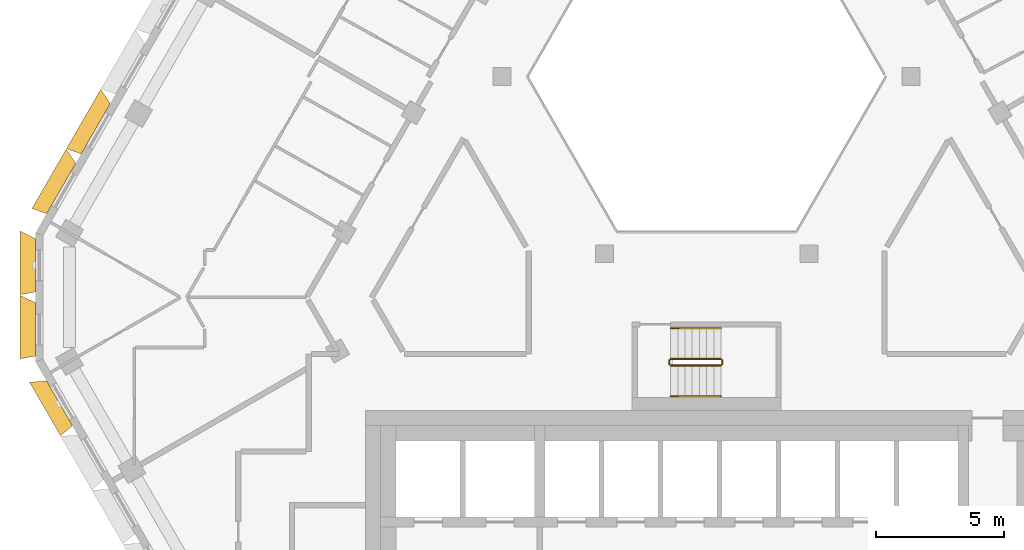
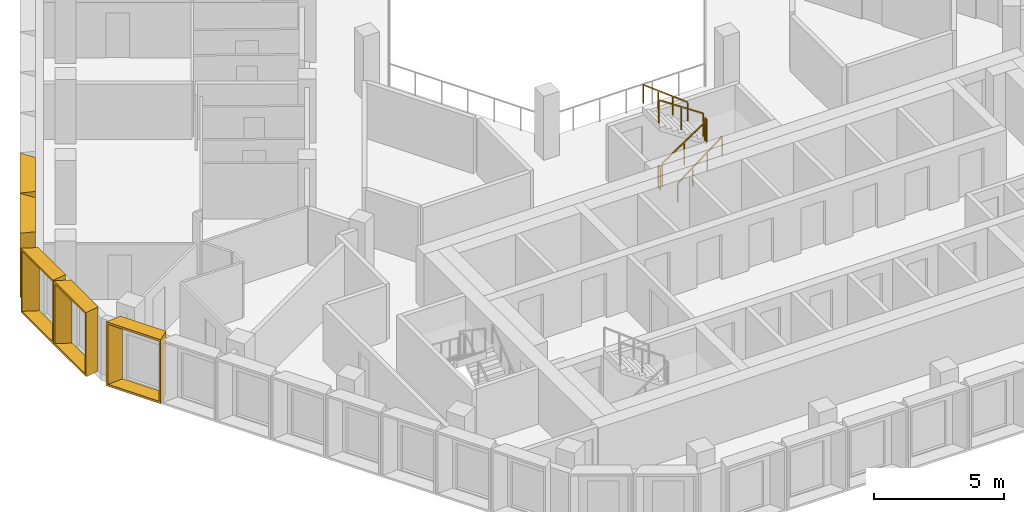
# One storey, part 15 of 18: 6 railings, 5 shading devices.
"""IFC4 building model written with IfcOpenShell, lengths in metres."""

from ifc_helpers import new_model, entity, si_unit, direction, frame, origin, origin_2d, place, context, subcontext, project, spatial, rectangle, extrude, source, transform, mapped, material, type_object, type_shapes, element, save


model = new_model("IFC4")

# Units and contexts
model_context = context("Model", 3, precision=1e-05, world=origin(), true_north=direction((0.0, 1.0)))
body_context = subcontext(model_context, "Body", "Model", "MODEL_VIEW")
ifc_project = project(units=[si_unit("LENGTHUNIT", "METRE"), si_unit("AREAUNIT", "SQUARE_METRE"), si_unit("VOLUMEUNIT", "CUBIC_METRE"), si_unit("PLANEANGLEUNIT", "RADIAN"), si_unit("MASSUNIT", "GRAM", prefix="KILO")], contexts=[model_context])

# Site, building, storey
site_placement = place(None, origin())
site = spatial("IfcSite", under=ifc_project, at=site_placement, CompositionType="ELEMENT")
building_placement = place(site_placement, origin())
building = spatial("IfcBuilding", under=site, at=building_placement, Name="Beryl Residences", CompositionType="ELEMENT")
storey_placement = place(building_placement, frame((0.0, 0.0, 196.199951171875)))
storey = spatial("IfcBuildingStorey", under=building, at=storey_placement, Name="L60", CompositionType="ELEMENT", Elevation=196.199951171875)

# Shading devices
ifc_material_1 = material(Name="Aluminium pale anodised", Category="aluminium")
shading_device_type_1 = type_object("IfcShadingDeviceType", Name="FR243-60B OUTER SKIN frame 600 mm deep, splay 26/10 deg, 2430 x 3000 mm cell", PredefinedType="USERDEFINED", material=ifc_material_1)
cartesian_point_1 = entity("IfcCartesianPoint", [-1.005615234375, 0.0])
cartesian_point_2 = entity("IfcCartesianPoint", [-0.91650390625, 0.10009765625])
cartesian_point_3 = entity("IfcCartesianPoint", [-1.298095703125, 0.0])
cartesian_point_4 = entity("IfcCartesianPoint", [-1.209228515625, 0.10009765625])
shared_shape_1 = source(origin(), body_context, "Body", "SweptSolid", [
    entity("IfcExtrudedAreaSolidTapered", entity("IfcArbitraryProfileDefWithVoids", "AREA", None, entity("IfcPolyline", [cartesian_point_1, entity("IfcCartesianPoint", [1.005615234375, 0.0]), entity("IfcCartesianPoint", [1.005615234375, 3.0]), entity("IfcCartesianPoint", [-1.005615234375, 3.0]), cartesian_point_1]), [entity("IfcPolyline", [cartesian_point_2, entity("IfcCartesianPoint", [0.92431640625, 0.10009765625]), entity("IfcCartesianPoint", [0.92431640625, 2.89990234375]), entity("IfcCartesianPoint", [-0.91650390625, 2.89990234375]), cartesian_point_2])]), entity("IfcAxis2Placement3D", entity("IfcCartesianPoint", [0.0, 0.0, 0.0]), entity("IfcDirection", [0.0, 1.0, 0.0]), entity("IfcDirection", [-1.0, 0.0, 0.0])), entity("IfcDirection", [0.0, 0.0, 1.0]), 0.60009765625, entity("IfcArbitraryProfileDefWithVoids", "AREA", None, entity("IfcPolyline", [cartesian_point_3, entity("IfcCartesianPoint", [1.111328125, 0.0]), entity("IfcCartesianPoint", [1.111328125, 3.0]), entity("IfcCartesianPoint", [-1.298095703125, 3.0]), cartesian_point_3]), [entity("IfcPolyline", [cartesian_point_4, entity("IfcCartesianPoint", [1.030029296875, 0.10009765625]), entity("IfcCartesianPoint", [1.030029296875, 2.89990234375]), entity("IfcCartesianPoint", [-1.209228515625, 2.89990234375]), cartesian_point_4])])),
])
type_shapes(shading_device_type_1, [shared_shape_1])
shading_device_placement = place(storey_placement, frame((-25.212890625, -4.72802734375, 0.0), z_axis=(0.0, 0.0, 1.0), x_axis=(-0.5, 0.866025403784, 0.0)))
element("IfcShadingDevice", 1, at=shading_device_placement, inside=storey, type_object=shading_device_type_1, Name="FR243-60B frame L60 SW 1", ObjectType="OUTER SKIN", PredefinedType="USERDEFINED", context=body_context, shape_type="MappedRepresentation", body=[
    mapped(shared_shape_1, transform((0.0, 0.0, 0.0))),
])
ifc_material_2 = material(Name="Aluminium pale anodised", Category="aluminium")
shading_device_type_2 = type_object("IfcShadingDeviceType", Name="FR250-60B OUTER SKIN frame 600 mm deep, splay 26/10 deg, 2500 x 3000 mm cell", PredefinedType="USERDEFINED", material=ifc_material_2)
cartesian_point_5 = entity("IfcCartesianPoint", [-1.04052734375, 0.0])
cartesian_point_6 = entity("IfcCartesianPoint", [-0.951416015625, 0.10009765625])
cartesian_point_7 = entity("IfcCartesianPoint", [-1.333251953125, 0.0])
cartesian_point_8 = entity("IfcCartesianPoint", [-1.244140625, 0.10009765625])
shared_shape_2 = source(origin(), body_context, "Body", "SweptSolid", [
    entity("IfcExtrudedAreaSolidTapered", entity("IfcArbitraryProfileDefWithVoids", "AREA", None, entity("IfcPolyline", [cartesian_point_5, entity("IfcCartesianPoint", [1.04052734375, 0.0]), entity("IfcCartesianPoint", [1.04052734375, 3.0]), entity("IfcCartesianPoint", [-1.04052734375, 3.0]), cartesian_point_5]), [entity("IfcPolyline", [cartesian_point_6, entity("IfcCartesianPoint", [0.959228515625, 0.10009765625]), entity("IfcCartesianPoint", [0.959228515625, 2.89990234375]), entity("IfcCartesianPoint", [-0.951416015625, 2.89990234375]), cartesian_point_6])]), entity("IfcAxis2Placement3D", entity("IfcCartesianPoint", [0.0, 0.0, 0.0]), entity("IfcDirection", [0.0, 1.0, 0.0]), entity("IfcDirection", [-1.0, 0.0, 0.0])), entity("IfcDirection", [0.0, 0.0, 1.0]), 0.60009765625, entity("IfcArbitraryProfileDefWithVoids", "AREA", None, entity("IfcPolyline", [cartesian_point_7, entity("IfcCartesianPoint", [1.146240234375, 0.0]), entity("IfcCartesianPoint", [1.146240234375, 3.0]), entity("IfcCartesianPoint", [-1.333251953125, 3.0]), cartesian_point_7]), [entity("IfcPolyline", [cartesian_point_8, entity("IfcCartesianPoint", [1.06494140625, 0.10009765625]), entity("IfcCartesianPoint", [1.06494140625, 2.89990234375]), entity("IfcCartesianPoint", [-1.244140625, 2.89990234375]), cartesian_point_8])])),
])
type_shapes(shading_device_type_2, [shared_shape_2])
for number, where, z_axis, x_axis, name in (
    (2, (-26.154052734375, 0.64990234375, 0.0), (0.0, 0.0, 1.0), (0.0, 1.0, 0.0), "FR250-60B frame L60 NW-SW 1"),
    (3, (-26.154052734375, -1.85009765625, 0.0), (0.0, 0.0, 1.0), (0.0, 1.0, 0.0), "FR250-60B frame L60 NW-SW 2"),
):
    element("IfcShadingDevice", number, at=place(storey_placement, frame(where, z_axis=z_axis, x_axis=x_axis)), inside=storey, type_object=shading_device_type_2, Name=name, ObjectType="OUTER SKIN", PredefinedType="USERDEFINED", context=body_context, shape_type="MappedRepresentation", body=[
        mapped(shared_shape_2, transform((0.0, 0.0, 0.0))),
    ])
ifc_material_3 = material(Name="Aluminium pale anodised", Category="aluminium")
shading_device_type_3 = type_object("IfcShadingDeviceType", Name="FR269-60B OUTER SKIN frame 600 mm deep, splay 26/10 deg, 2690 x 3000 mm cell", PredefinedType="USERDEFINED", material=ifc_material_3)
cartesian_point_9 = entity("IfcCartesianPoint", [-1.135498046875, 0.0])
cartesian_point_10 = entity("IfcCartesianPoint", [-1.04638671875, 0.10009765625])
cartesian_point_11 = entity("IfcCartesianPoint", [-1.42822265625, 0.0])
cartesian_point_12 = entity("IfcCartesianPoint", [-1.339111328125, 0.10009765625])
shared_shape_3 = source(origin(), body_context, "Body", "SweptSolid", [
    entity("IfcExtrudedAreaSolidTapered", entity("IfcArbitraryProfileDefWithVoids", "AREA", None, entity("IfcPolyline", [cartesian_point_9, entity("IfcCartesianPoint", [1.135498046875, 0.0]), entity("IfcCartesianPoint", [1.135498046875, 3.0]), entity("IfcCartesianPoint", [-1.135498046875, 3.0]), cartesian_point_9]), [entity("IfcPolyline", [cartesian_point_10, entity("IfcCartesianPoint", [1.05419921875, 0.10009765625]), entity("IfcCartesianPoint", [1.05419921875, 2.89990234375]), entity("IfcCartesianPoint", [-1.04638671875, 2.89990234375]), cartesian_point_10])]), entity("IfcAxis2Placement3D", entity("IfcCartesianPoint", [0.0, 0.0, 0.0]), entity("IfcDirection", [0.0, 1.0, 0.0]), entity("IfcDirection", [-1.0, 0.0, 0.0])), entity("IfcDirection", [0.0, 0.0, 1.0]), 0.60009765625, entity("IfcArbitraryProfileDefWithVoids", "AREA", None, entity("IfcPolyline", [cartesian_point_11, entity("IfcCartesianPoint", [1.2412109375, 0.0]), entity("IfcCartesianPoint", [1.2412109375, 3.0]), entity("IfcCartesianPoint", [-1.42822265625, 3.0]), cartesian_point_11]), [entity("IfcPolyline", [cartesian_point_12, entity("IfcCartesianPoint", [1.16015625, 0.10009765625]), entity("IfcCartesianPoint", [1.16015625, 2.89990234375]), entity("IfcCartesianPoint", [-1.339111328125, 2.89990234375]), cartesian_point_12])])),
])
type_shapes(shading_device_type_3, [shared_shape_3])
for number, where, z_axis, x_axis, name in (
    (4, (-23.802978515625, 5.971923828125, 0.0), (0.0, 0.0, 1.0), (0.5, 0.866025403784, 0.0), "FR269-60B frame L60 NW 7"),
    (5, (-25.14892578125, 3.639892578125, 0.0), (0.0, 0.0, 1.0), (0.5, 0.866025403784, 0.0), "FR269-60B frame L60 NW 8"),
):
    element("IfcShadingDevice", number, at=place(storey_placement, frame(where, z_axis=z_axis, x_axis=x_axis)), inside=storey, type_object=shading_device_type_3, Name=name, ObjectType="OUTER SKIN", PredefinedType="USERDEFINED", context=body_context, shape_type="MappedRepresentation", body=[
        mapped(shared_shape_3, transform((0.0, 0.0, 0.0))),
    ])

# Railings
ifc_material_4 = material(Name="Stainless steel balustrade with glass infill", Category="steel")
railing_type_1 = type_object("IfcRailingType", Name="SG1 stair guard 1100 mm", PredefinedType="GUARDRAIL", material=ifc_material_4)
railing_1_placement = place(storey_placement, frame((-1.39990234375, -3.25, 0.1875)))
element("IfcRailing", 6, at=railing_1_placement, inside=storey, type_object=railing_type_1, Name="L60 ST-4 stair guard 1", PredefinedType="GUARDRAIL", context=body_context, shape_type="SweptSolid", body=[
    extrude(rectangle(XDim=0.048095703125, YDim=0.048095703125, at=origin_2d()), frame((0.0, 0.0, 1.076171875), z_axis=(0.830902050051, 0.0, 0.556418712142), x_axis=(0.0, 1.0, 0.0)), (0.0, 0.0, 1.0), 2.35888671875),
    extrude(rectangle(XDim=0.0419921875, YDim=0.0419921875, at=origin_2d()), origin(), (0.0, 0.0, 1.0), 1.052001953125),
    extrude(rectangle(XDim=0.0419921875, YDim=0.0419921875, at=origin_2d()), frame((0.97998046875, 0.0, 0.65625)), (0.0, 0.0, 1.0), 1.052001953125),
    extrude(rectangle(XDim=0.0419921875, YDim=0.0419921875, at=origin_2d()), frame((1.9599609375, 0.0, 1.3125)), (0.0, 0.0, 1.0), 1.052001953125),
])
railing_2_placement = place(storey_placement, frame((0.610107421875, -3.199951171875, 1.5)))
element("IfcRailing", 7, at=railing_2_placement, inside=storey, type_object=railing_type_1, Name="L60 ST-4 stair guard 2", PredefinedType="GUARDRAIL", context=body_context, shape_type="SweptSolid", body=[
    extrude(rectangle(XDim=0.048095703125, YDim=0.048095703125, at=origin_2d()), frame((0.0, 0.0, 1.076171875), z_axis=(0.0, 1.0, 0.0), x_axis=(-1.0, 0.0, 0.0)), (0.0, 0.0, 1.0), 0.14990234375),
    extrude(rectangle(XDim=0.0419921875, YDim=0.0419921875, at=origin_2d()), origin(), (0.0, 0.0, 1.0), 1.052001953125),
    extrude(rectangle(XDim=0.0419921875, YDim=0.0419921875, at=origin_2d()), frame((0.0, 0.14990234375, 0.0)), (0.0, 0.0, 1.0), 1.052001953125),
])
railing_3_placement = place(storey_placement, frame((0.56005859375, -3.0, 1.6875)))
element("IfcRailing", 8, at=railing_3_placement, inside=storey, type_object=railing_type_1, Name="L60 ST-4 stair guard 3", PredefinedType="GUARDRAIL", context=body_context, shape_type="SweptSolid", body=[
    extrude(rectangle(XDim=0.048095703125, YDim=0.048095703125, at=origin_2d()), frame((0.0, 0.0, 1.076171875), z_axis=(-0.830902050051, 0.0, 0.556418712142), x_axis=(0.0, -1.0, 0.0)), (0.0, 0.0, 1.0), 2.35888671875),
    extrude(rectangle(XDim=0.0419921875, YDim=0.0419921875, at=origin_2d()), origin(), (0.0, 0.0, 1.0), 1.052001953125),
    extrude(rectangle(XDim=0.0419921875, YDim=0.0419921875, at=origin_2d()), frame((-0.97998046875, 0.0, 0.65625)), (0.0, 0.0, 1.0), 1.052001953125),
    extrude(rectangle(XDim=0.0419921875, YDim=0.0419921875, at=origin_2d()), frame((-1.9599609375, 0.0, 1.3125)), (0.0, 0.0, 1.0), 1.052001953125),
])
railing_4_placement = place(storey_placement, frame((-1.449951171875, -3.199951171875, 0.0)))
element("IfcRailing", 9, at=railing_4_placement, inside=storey, type_object=railing_type_1, Name="L60 ST-4 stair guard 4", PredefinedType="GUARDRAIL", context=body_context, shape_type="SweptSolid", body=[
    extrude(rectangle(XDim=0.048095703125, YDim=0.048095703125, at=origin_2d()), frame((0.0, 0.0, 1.076171875), z_axis=(0.0, 1.0, 0.0), x_axis=(-1.0, 0.0, 0.0)), (0.0, 0.0, 1.0), 0.14990234375),
    extrude(rectangle(XDim=0.0419921875, YDim=0.0419921875, at=origin_2d()), origin(), (0.0, 0.0, 1.0), 1.052001953125),
    extrude(rectangle(XDim=0.0419921875, YDim=0.0419921875, at=origin_2d()), frame((0.0, 0.14990234375, 0.0)), (0.0, 0.0, 1.0), 1.052001953125),
])
ifc_material_5 = material(Name="Stainless steel handrail", Category="steel")
railing_type_2 = type_object("IfcRailingType", Name="SRL1 stair handrail 900 mm", PredefinedType="HANDRAIL", material=ifc_material_5)
railing_5_placement = place(storey_placement, frame((-1.39990234375, -4.449951171875, 0.1875)))
element("IfcRailing", 10, at=railing_5_placement, inside=storey, type_object=railing_type_2, Name="L60 ST-4 stair handrail 1", PredefinedType="HANDRAIL", context=body_context, shape_type="SweptSolid", body=[
    extrude(rectangle(XDim=0.048095703125, YDim=0.048095703125, at=origin_2d()), frame((0.0, 0.0, 0.8759765625), z_axis=(0.794121922505, 0.0, 0.607758481798), x_axis=(0.0, 1.0, 0.0)), (0.0, 0.0, 1.0), 2.468017578125),
    extrude(rectangle(XDim=0.0419921875, YDim=0.0419921875, at=origin_2d()), origin(), (0.0, 0.0, 1.0), 0.851806640625),
    extrude(rectangle(XDim=0.0419921875, YDim=0.0419921875, at=origin_2d()), frame((0.6533203125, 0.0, 0.5)), (0.0, 0.0, 1.0), 0.851806640625),
    extrude(rectangle(XDim=0.0419921875, YDim=0.0419921875, at=origin_2d()), frame((1.306640625, 0.0, 1.0)), (0.0, 0.0, 1.0), 0.851806640625),
    extrude(rectangle(XDim=0.0419921875, YDim=0.0419921875, at=origin_2d()), frame((1.9599609375, 0.0, 1.5)), (0.0, 0.0, 1.0), 0.851806640625),
])
railing_6_placement = place(storey_placement, frame((0.56005859375, -1.800048828125, 1.6875)))
element("IfcRailing", 11, at=railing_6_placement, inside=storey, type_object=railing_type_2, Name="L60 ST-4 stair handrail 2", PredefinedType="HANDRAIL", context=body_context, shape_type="SweptSolid", body=[
    extrude(rectangle(XDim=0.048095703125, YDim=0.048095703125, at=origin_2d()), frame((0.0, 0.0, 0.8759765625), z_axis=(-0.794121922505, 0.0, 0.607758481798), x_axis=(0.0, -1.0, 0.0)), (0.0, 0.0, 1.0), 2.468017578125),
    extrude(rectangle(XDim=0.0419921875, YDim=0.0419921875, at=origin_2d()), origin(), (0.0, 0.0, 1.0), 0.851806640625),
    extrude(rectangle(XDim=0.0419921875, YDim=0.0419921875, at=origin_2d()), frame((-0.6533203125, 0.0, 0.5)), (0.0, 0.0, 1.0), 0.851806640625),
    extrude(rectangle(XDim=0.0419921875, YDim=0.0419921875, at=origin_2d()), frame((-1.306640625, 0.0, 1.0)), (0.0, 0.0, 1.0), 0.851806640625),
    extrude(rectangle(XDim=0.0419921875, YDim=0.0419921875, at=origin_2d()), frame((-1.9599609375, 0.0, 1.5)), (0.0, 0.0, 1.0), 0.851806640625),
])

save(model, "model.ifc")
